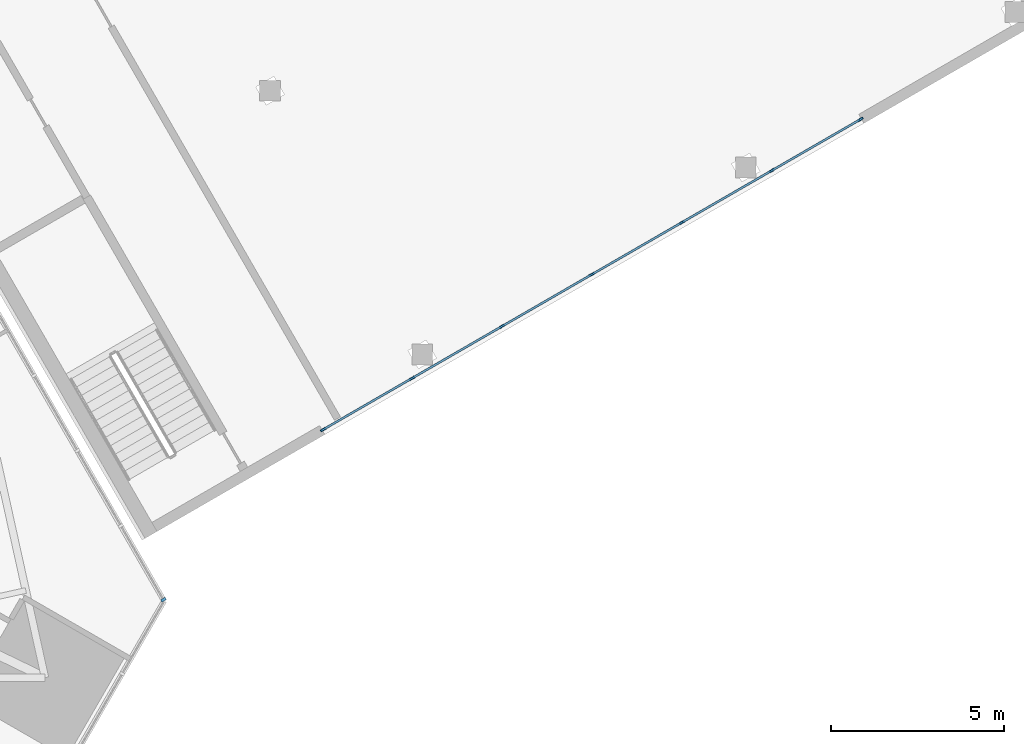
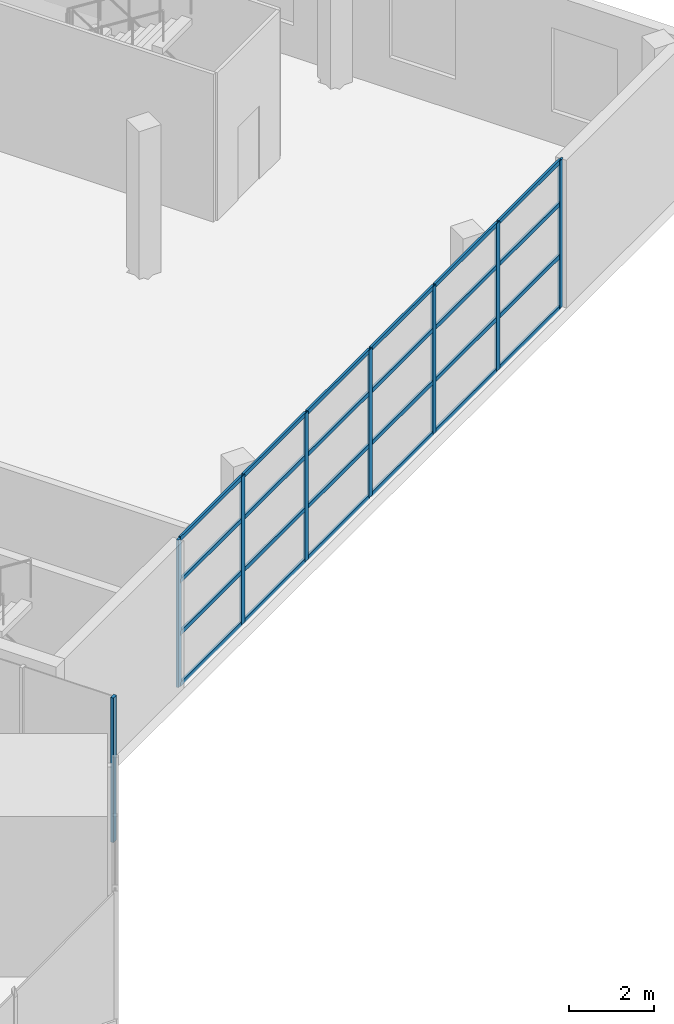
# One storey, part 13 of 29: 32 members, 2 elements without a shape of their own.
"""IFC4 building model written with IfcOpenShell, lengths in metres."""

from ifc_helpers import new_model, si_unit, direction, frame, origin, origin_2d, place, context, subcontext, project, spatial, rectangle, extrude, material, layer, layer_set, material_profile, profile_set, type_object, element, aggregate, save


model = new_model("IFC4")

# Units and contexts
model_context = context("Model", 3, precision=1e-05, world=origin(), true_north=direction((0.0, 1.0)))
body_context = subcontext(model_context, "Body", "Model", "MODEL_VIEW")
ifc_project = project(units=[si_unit("LENGTHUNIT", "METRE"), si_unit("AREAUNIT", "SQUARE_METRE"), si_unit("VOLUMEUNIT", "CUBIC_METRE"), si_unit("PLANEANGLEUNIT", "RADIAN"), si_unit("MASSUNIT", "GRAM", prefix="KILO")], contexts=[model_context])

# Site, building, storey
site_placement = place(None, origin())
site = spatial("IfcSite", under=ifc_project, at=site_placement, CompositionType="ELEMENT")
building_placement = place(site_placement, origin())
building = spatial("IfcBuilding", under=site, at=building_placement, Name="Firuza Gate Tower and Library", CompositionType="ELEMENT")
storey_placement = place(building_placement, frame((0.0, 0.0, 8.0)))
storey = spatial("IfcBuildingStorey", under=building, at=storey_placement, Name="L01", CompositionType="ELEMENT", Elevation=8.0)

# Curtain wall, member
ifc_material_1 = material(Name="Aluminium 6063-T6", Category="aluminium")
ifc_layer = layer(ifc_material_1, 0.14990234375)
ifc_layer_set = layer_set([ifc_layer], Name="Stick curtain wall, podium")
curtain_wall_type_1 = type_object("IfcCurtainWallType", Name="Stick curtain wall, podium", PredefinedType="NOTDEFINED", material=ifc_layer_set)
placement = place(storey_placement, origin())
curtain_wall_1 = element("IfcCurtainWall", 1, at=placement, inside=storey, type_object=curtain_wall_type_1, Name="CW5 L01 E", PredefinedType="NOTDEFINED")
ifc_material_2 = material(Name="Aluminium 6063-T6", Category="aluminium")
ifc_material_profile_1 = material_profile(ifc_material_2, rectangle(XDim=0.14990234375, YDim=0.080078125, at=origin_2d()))
ifc_profile_set_1 = profile_set([ifc_material_profile_1], Name="Aluminium 6063-T6")
member_type_1 = type_object("IfcMemberType", Name="Curtain wall mullion 80x150", PredefinedType="MULLION", material=ifc_profile_set_1)
member_1_placement = place(storey_placement, frame((107.466552734375, 60.4853515625, 0.14990234375), z_axis=(0.0, 0.0, 1.0), x_axis=(-0.866025403784, -0.5, 0.0)))
member_1 = element("IfcMember", 2, at=member_1_placement, type_object=member_type_1, Name="Mullion", PredefinedType="MULLION", context=body_context, shape_type="SweptSolid", body=[
    extrude(rectangle(XDim=0.14990234375, YDim=0.080078125, at=origin_2d()), origin(), (0.0, 0.0, 1.0), 4.150146484375),
])
aggregate(curtain_wall_1, [member_1])

# Curtain wall, members
ifc_material_3 = material(Name="Aluminium", Category="aluminium")
curtain_wall_type_2 = type_object("IfcCurtainWallType", Name="LIB CURTAIN WALL", PredefinedType="NOTDEFINED", material=ifc_material_3)
curtain_wall_2 = element("IfcCurtainWall", 3, at=placement, inside=storey, type_object=curtain_wall_type_2, Name="L01 south curtain wall", PredefinedType="NOTDEFINED")
ifc_material_4 = material(Name="Aluminium", Category="aluminium")
ifc_material_profile_2 = material_profile(ifc_material_4, rectangle(XDim=0.06005859375, YDim=0.159912109375, at=origin_2d()))
ifc_profile_set_2 = profile_set([ifc_material_profile_2], Name="Aluminium")
member_type_2 = type_object("IfcMemberType", Name="LIB MULLION 60X160", PredefinedType="MULLION", material=ifc_profile_set_2)
member_2_placement = place(storey_placement, frame((112.080078125, 65.404541015625, 0.0), z_axis=(0.0, 0.0, 1.0), x_axis=(-0.500001377656, 0.866024608393, 0.0)))
member_2 = element("IfcMember", 4, at=member_2_placement, type_object=member_type_2, Name="LIB-CW mullion 1", PredefinedType="MULLION", context=body_context, shape_type="SweptSolid", body=[
    extrude(rectangle(XDim=0.06005859375, YDim=0.159912109375, at=origin_2d()), origin(), (0.0, 0.0, 1.0), 4.239990234375),
])
member_3_placement = place(storey_placement, frame((114.65234375, 66.889404296875, 0.0), z_axis=(0.0, 0.0, 1.0), x_axis=(-0.500001377656, 0.866024608393, 0.0)))
member_3 = element("IfcMember", 5, at=member_3_placement, type_object=member_type_2, Name="LIB-CW mullion 2", PredefinedType="MULLION", context=body_context, shape_type="SweptSolid", body=[
    extrude(rectangle(XDim=0.06005859375, YDim=0.159912109375, at=origin_2d()), origin(), (0.0, 0.0, 1.0), 4.239990234375),
])
member_4_placement = place(storey_placement, frame((117.250244140625, 68.389404296875, 0.0), z_axis=(0.0, 0.0, 1.0), x_axis=(-0.500001377656, 0.866024608393, 0.0)))
member_4 = element("IfcMember", 6, at=member_4_placement, type_object=member_type_2, Name="LIB-CW mullion 3", PredefinedType="MULLION", context=body_context, shape_type="SweptSolid", body=[
    extrude(rectangle(XDim=0.06005859375, YDim=0.159912109375, at=origin_2d()), origin(), (0.0, 0.0, 1.0), 4.239990234375),
])
member_5_placement = place(storey_placement, frame((119.848388671875, 69.889404296875, 0.0), z_axis=(0.0, 0.0, 1.0), x_axis=(-0.500001377656, 0.866024608393, 0.0)))
member_5 = element("IfcMember", 7, at=member_5_placement, type_object=member_type_2, Name="LIB-CW mullion 4", PredefinedType="MULLION", context=body_context, shape_type="SweptSolid", body=[
    extrude(rectangle(XDim=0.06005859375, YDim=0.159912109375, at=origin_2d()), origin(), (0.0, 0.0, 1.0), 4.239990234375),
])
member_6_placement = place(storey_placement, frame((122.446533203125, 71.389404296875, 0.0), z_axis=(0.0, 0.0, 1.0), x_axis=(-0.500001377656, 0.866024608393, 0.0)))
member_6 = element("IfcMember", 8, at=member_6_placement, type_object=member_type_2, Name="LIB-CW mullion 5", PredefinedType="MULLION", context=body_context, shape_type="SweptSolid", body=[
    extrude(rectangle(XDim=0.06005859375, YDim=0.159912109375, at=origin_2d()), origin(), (0.0, 0.0, 1.0), 4.239990234375),
])
member_7_placement = place(storey_placement, frame((125.04443359375, 72.889404296875, 0.0), z_axis=(0.0, 0.0, 1.0), x_axis=(-0.500001377656, 0.866024608393, 0.0)))
member_7 = element("IfcMember", 9, at=member_7_placement, type_object=member_type_2, Name="LIB-CW mullion 6", PredefinedType="MULLION", context=body_context, shape_type="SweptSolid", body=[
    extrude(rectangle(XDim=0.06005859375, YDim=0.159912109375, at=origin_2d()), origin(), (0.0, 0.0, 1.0), 4.239990234375),
])
member_8_placement = place(storey_placement, frame((127.61669921875, 74.37451171875, 0.0), z_axis=(0.0, 0.0, 1.0), x_axis=(-0.500001377656, 0.866024608393, 0.0)))
member_8 = element("IfcMember", 10, at=member_8_placement, type_object=member_type_2, Name="LIB-CW mullion 7", PredefinedType="MULLION", context=body_context, shape_type="SweptSolid", body=[
    extrude(rectangle(XDim=0.06005859375, YDim=0.159912109375, at=origin_2d()), origin(), (0.0, 0.0, 1.0), 4.239990234375),
])
ifc_material_5 = material(Name="Aluminium", Category="aluminium")
ifc_material_profile_3 = material_profile(ifc_material_5, rectangle(XDim=0.06005859375, YDim=0.1201171875, at=origin_2d()))
ifc_profile_set_3 = profile_set([ifc_material_profile_3], Name="Aluminium")
member_type_3 = type_object("IfcMemberType", Name="LIB TRANSOM 60X120", PredefinedType="USERDEFINED", material=ifc_profile_set_3)
member_9_placement = place(storey_placement, frame((112.106201171875, 65.41943359375, 0.030029296875), z_axis=(0.866003949776, 0.500037157592, 0.0), x_axis=(-0.500037157592, 0.866003949776, 0.0)))
member_9 = element("IfcMember", 11, at=member_9_placement, type_object=member_type_3, Name="LIB-CW transom 1.1", ObjectType="TRANSOM", PredefinedType="USERDEFINED", context=body_context, shape_type="SweptSolid", body=[
    extrude(rectangle(XDim=0.06005859375, YDim=0.1201171875, at=origin_2d()), origin(), (0.0, 0.0, 1.0), 2.909912109375),
])
member_10_placement = place(storey_placement, frame((112.106201171875, 65.41943359375, 1.5), z_axis=(0.866003949776, 0.500037157592, 0.0), x_axis=(-0.500037157592, 0.866003949776, 0.0)))
member_10 = element("IfcMember", 12, at=member_10_placement, type_object=member_type_3, Name="LIB-CW transom 1.2", ObjectType="TRANSOM", PredefinedType="USERDEFINED", context=body_context, shape_type="SweptSolid", body=[
    extrude(rectangle(XDim=0.06005859375, YDim=0.1201171875, at=origin_2d()), origin(), (0.0, 0.0, 1.0), 2.909912109375),
])
member_11_placement = place(storey_placement, frame((112.106201171875, 65.41943359375, 3.0), z_axis=(0.866003949776, 0.500037157592, 0.0), x_axis=(-0.500037157592, 0.866003949776, 0.0)))
member_11 = element("IfcMember", 13, at=member_11_placement, type_object=member_type_3, Name="LIB-CW transom 1.3", ObjectType="TRANSOM", PredefinedType="USERDEFINED", context=body_context, shape_type="SweptSolid", body=[
    extrude(rectangle(XDim=0.06005859375, YDim=0.1201171875, at=origin_2d()), origin(), (0.0, 0.0, 1.0), 2.909912109375),
])
member_12_placement = place(storey_placement, frame((112.106201171875, 65.41943359375, 4.2099609375), z_axis=(0.866003949776, 0.500037157592, 0.0), x_axis=(-0.500037157592, 0.866003949776, 0.0)))
member_12 = element("IfcMember", 14, at=member_12_placement, type_object=member_type_3, Name="LIB-CW transom 1.4", ObjectType="TRANSOM", PredefinedType="USERDEFINED", context=body_context, shape_type="SweptSolid", body=[
    extrude(rectangle(XDim=0.06005859375, YDim=0.1201171875, at=origin_2d()), origin(), (0.0, 0.0, 1.0), 2.909912109375),
])
member_13_placement = place(storey_placement, frame((114.67822265625, 66.904541015625, 0.030029296875), z_axis=(0.866032090307, 0.499988418424, 0.0), x_axis=(-0.499988418424, 0.866032090307, 0.0)))
member_13 = element("IfcMember", 15, at=member_13_placement, type_object=member_type_3, Name="LIB-CW transom 2.1", ObjectType="TRANSOM", PredefinedType="USERDEFINED", context=body_context, shape_type="SweptSolid", body=[
    extrude(rectangle(XDim=0.06005859375, YDim=0.1201171875, at=origin_2d()), origin(), (0.0, 0.0, 1.0), 2.93994140625),
])
member_14_placement = place(storey_placement, frame((114.67822265625, 66.904541015625, 1.5), z_axis=(0.866032090307, 0.499988418424, 0.0), x_axis=(-0.499988418424, 0.866032090307, 0.0)))
member_14 = element("IfcMember", 16, at=member_14_placement, type_object=member_type_3, Name="LIB-CW transom 2.2", ObjectType="TRANSOM", PredefinedType="USERDEFINED", context=body_context, shape_type="SweptSolid", body=[
    extrude(rectangle(XDim=0.06005859375, YDim=0.1201171875, at=origin_2d()), origin(), (0.0, 0.0, 1.0), 2.93994140625),
])
member_15_placement = place(storey_placement, frame((114.67822265625, 66.904541015625, 3.0), z_axis=(0.866032090307, 0.499988418424, 0.0), x_axis=(-0.499988418424, 0.866032090307, 0.0)))
member_15 = element("IfcMember", 17, at=member_15_placement, type_object=member_type_3, Name="LIB-CW transom 2.3", ObjectType="TRANSOM", PredefinedType="USERDEFINED", context=body_context, shape_type="SweptSolid", body=[
    extrude(rectangle(XDim=0.06005859375, YDim=0.1201171875, at=origin_2d()), origin(), (0.0, 0.0, 1.0), 2.93994140625),
])
member_16_placement = place(storey_placement, frame((114.67822265625, 66.904541015625, 4.2099609375), z_axis=(0.866032090307, 0.499988418424, 0.0), x_axis=(-0.499988418424, 0.866032090307, 0.0)))
member_16 = element("IfcMember", 18, at=member_16_placement, type_object=member_type_3, Name="LIB-CW transom 2.4", ObjectType="TRANSOM", PredefinedType="USERDEFINED", context=body_context, shape_type="SweptSolid", body=[
    extrude(rectangle(XDim=0.06005859375, YDim=0.1201171875, at=origin_2d()), origin(), (0.0, 0.0, 1.0), 2.93994140625),
])
member_17_placement = place(storey_placement, frame((117.2763671875, 68.404541015625, 0.030029296875), z_axis=(0.866032090307, 0.499988418424, 0.0), x_axis=(-0.499988418424, 0.866032090307, 0.0)))
member_17 = element("IfcMember", 19, at=member_17_placement, type_object=member_type_3, Name="LIB-CW transom 3.1", ObjectType="TRANSOM", PredefinedType="USERDEFINED", context=body_context, shape_type="SweptSolid", body=[
    extrude(rectangle(XDim=0.06005859375, YDim=0.1201171875, at=origin_2d()), origin(), (0.0, 0.0, 1.0), 2.93994140625),
])
member_18_placement = place(storey_placement, frame((117.2763671875, 68.404541015625, 1.5), z_axis=(0.866032090307, 0.499988418424, 0.0), x_axis=(-0.499988418424, 0.866032090307, 0.0)))
member_18 = element("IfcMember", 20, at=member_18_placement, type_object=member_type_3, Name="LIB-CW transom 3.2", ObjectType="TRANSOM", PredefinedType="USERDEFINED", context=body_context, shape_type="SweptSolid", body=[
    extrude(rectangle(XDim=0.06005859375, YDim=0.1201171875, at=origin_2d()), origin(), (0.0, 0.0, 1.0), 2.93994140625),
])
member_19_placement = place(storey_placement, frame((117.2763671875, 68.404541015625, 3.0), z_axis=(0.866032090307, 0.499988418424, 0.0), x_axis=(-0.499988418424, 0.866032090307, 0.0)))
member_19 = element("IfcMember", 21, at=member_19_placement, type_object=member_type_3, Name="LIB-CW transom 3.3", ObjectType="TRANSOM", PredefinedType="USERDEFINED", context=body_context, shape_type="SweptSolid", body=[
    extrude(rectangle(XDim=0.06005859375, YDim=0.1201171875, at=origin_2d()), origin(), (0.0, 0.0, 1.0), 2.93994140625),
])
member_20_placement = place(storey_placement, frame((117.2763671875, 68.404541015625, 4.2099609375), z_axis=(0.866032090307, 0.499988418424, 0.0), x_axis=(-0.499988418424, 0.866032090307, 0.0)))
member_20 = element("IfcMember", 22, at=member_20_placement, type_object=member_type_3, Name="LIB-CW transom 3.4", ObjectType="TRANSOM", PredefinedType="USERDEFINED", context=body_context, shape_type="SweptSolid", body=[
    extrude(rectangle(XDim=0.06005859375, YDim=0.1201171875, at=origin_2d()), origin(), (0.0, 0.0, 1.0), 2.93994140625),
])
member_21_placement = place(storey_placement, frame((119.874267578125, 69.904541015625, 0.030029296875), z_axis=(0.866032090307, 0.499988418424, 0.0), x_axis=(-0.499988418424, 0.866032090307, 0.0)))
member_21 = element("IfcMember", 23, at=member_21_placement, type_object=member_type_3, Name="LIB-CW transom 4.1", ObjectType="TRANSOM", PredefinedType="USERDEFINED", context=body_context, shape_type="SweptSolid", body=[
    extrude(rectangle(XDim=0.06005859375, YDim=0.1201171875, at=origin_2d()), origin(), (0.0, 0.0, 1.0), 2.93994140625),
])
member_22_placement = place(storey_placement, frame((119.874267578125, 69.904541015625, 1.5), z_axis=(0.866032090307, 0.499988418424, 0.0), x_axis=(-0.499988418424, 0.866032090307, 0.0)))
member_22 = element("IfcMember", 24, at=member_22_placement, type_object=member_type_3, Name="LIB-CW transom 4.2", ObjectType="TRANSOM", PredefinedType="USERDEFINED", context=body_context, shape_type="SweptSolid", body=[
    extrude(rectangle(XDim=0.06005859375, YDim=0.1201171875, at=origin_2d()), origin(), (0.0, 0.0, 1.0), 2.93994140625),
])
member_23_placement = place(storey_placement, frame((119.874267578125, 69.904541015625, 3.0), z_axis=(0.866032090307, 0.499988418424, 0.0), x_axis=(-0.499988418424, 0.866032090307, 0.0)))
member_23 = element("IfcMember", 25, at=member_23_placement, type_object=member_type_3, Name="LIB-CW transom 4.3", ObjectType="TRANSOM", PredefinedType="USERDEFINED", context=body_context, shape_type="SweptSolid", body=[
    extrude(rectangle(XDim=0.06005859375, YDim=0.1201171875, at=origin_2d()), origin(), (0.0, 0.0, 1.0), 2.93994140625),
])
member_24_placement = place(storey_placement, frame((119.874267578125, 69.904541015625, 4.2099609375), z_axis=(0.866032090307, 0.499988418424, 0.0), x_axis=(-0.499988418424, 0.866032090307, 0.0)))
member_24 = element("IfcMember", 26, at=member_24_placement, type_object=member_type_3, Name="LIB-CW transom 4.4", ObjectType="TRANSOM", PredefinedType="USERDEFINED", context=body_context, shape_type="SweptSolid", body=[
    extrude(rectangle(XDim=0.06005859375, YDim=0.1201171875, at=origin_2d()), origin(), (0.0, 0.0, 1.0), 2.93994140625),
])
member_25_placement = place(storey_placement, frame((122.472412109375, 71.404541015625, 0.030029296875), z_axis=(0.866032090307, 0.499988418424, 0.0), x_axis=(-0.499988418424, 0.866032090307, 0.0)))
member_25 = element("IfcMember", 27, at=member_25_placement, type_object=member_type_3, Name="LIB-CW transom 5.1", ObjectType="TRANSOM", PredefinedType="USERDEFINED", context=body_context, shape_type="SweptSolid", body=[
    extrude(rectangle(XDim=0.06005859375, YDim=0.1201171875, at=origin_2d()), origin(), (0.0, 0.0, 1.0), 2.93994140625),
])
member_26_placement = place(storey_placement, frame((122.472412109375, 71.404541015625, 1.5), z_axis=(0.866032090307, 0.499988418424, 0.0), x_axis=(-0.499988418424, 0.866032090307, 0.0)))
member_26 = element("IfcMember", 28, at=member_26_placement, type_object=member_type_3, Name="LIB-CW transom 5.2", ObjectType="TRANSOM", PredefinedType="USERDEFINED", context=body_context, shape_type="SweptSolid", body=[
    extrude(rectangle(XDim=0.06005859375, YDim=0.1201171875, at=origin_2d()), origin(), (0.0, 0.0, 1.0), 2.93994140625),
])
member_27_placement = place(storey_placement, frame((122.472412109375, 71.404541015625, 3.0), z_axis=(0.866032090307, 0.499988418424, 0.0), x_axis=(-0.499988418424, 0.866032090307, 0.0)))
member_27 = element("IfcMember", 29, at=member_27_placement, type_object=member_type_3, Name="LIB-CW transom 5.3", ObjectType="TRANSOM", PredefinedType="USERDEFINED", context=body_context, shape_type="SweptSolid", body=[
    extrude(rectangle(XDim=0.06005859375, YDim=0.1201171875, at=origin_2d()), origin(), (0.0, 0.0, 1.0), 2.93994140625),
])
member_28_placement = place(storey_placement, frame((122.472412109375, 71.404541015625, 4.2099609375), z_axis=(0.866032090307, 0.499988418424, 0.0), x_axis=(-0.499988418424, 0.866032090307, 0.0)))
member_28 = element("IfcMember", 30, at=member_28_placement, type_object=member_type_3, Name="LIB-CW transom 5.4", ObjectType="TRANSOM", PredefinedType="USERDEFINED", context=body_context, shape_type="SweptSolid", body=[
    extrude(rectangle(XDim=0.06005859375, YDim=0.1201171875, at=origin_2d()), origin(), (0.0, 0.0, 1.0), 2.93994140625),
])
member_29_placement = place(storey_placement, frame((125.070556640625, 72.904541015625, 0.030029296875), z_axis=(0.866003949776, 0.500037157592, 0.0), x_axis=(-0.500037157592, 0.866003949776, 0.0)))
member_29 = element("IfcMember", 31, at=member_29_placement, type_object=member_type_3, Name="LIB-CW transom 6.1", ObjectType="TRANSOM", PredefinedType="USERDEFINED", context=body_context, shape_type="SweptSolid", body=[
    extrude(rectangle(XDim=0.06005859375, YDim=0.1201171875, at=origin_2d()), origin(), (0.0, 0.0, 1.0), 2.909912109375),
])
member_30_placement = place(storey_placement, frame((125.070556640625, 72.904541015625, 1.5), z_axis=(0.866003949776, 0.500037157592, 0.0), x_axis=(-0.500037157592, 0.866003949776, 0.0)))
member_30 = element("IfcMember", 32, at=member_30_placement, type_object=member_type_3, Name="LIB-CW transom 6.2", ObjectType="TRANSOM", PredefinedType="USERDEFINED", context=body_context, shape_type="SweptSolid", body=[
    extrude(rectangle(XDim=0.06005859375, YDim=0.1201171875, at=origin_2d()), origin(), (0.0, 0.0, 1.0), 2.909912109375),
])
member_31_placement = place(storey_placement, frame((125.070556640625, 72.904541015625, 3.0), z_axis=(0.866003949776, 0.500037157592, 0.0), x_axis=(-0.500037157592, 0.866003949776, 0.0)))
member_31 = element("IfcMember", 33, at=member_31_placement, type_object=member_type_3, Name="LIB-CW transom 6.3", ObjectType="TRANSOM", PredefinedType="USERDEFINED", context=body_context, shape_type="SweptSolid", body=[
    extrude(rectangle(XDim=0.06005859375, YDim=0.1201171875, at=origin_2d()), origin(), (0.0, 0.0, 1.0), 2.909912109375),
])
member_32_placement = place(storey_placement, frame((125.070556640625, 72.904541015625, 4.2099609375), z_axis=(0.866003949776, 0.500037157592, 0.0), x_axis=(-0.500037157592, 0.866003949776, 0.0)))
member_32 = element("IfcMember", 34, at=member_32_placement, type_object=member_type_3, Name="LIB-CW transom 6.4", ObjectType="TRANSOM", PredefinedType="USERDEFINED", context=body_context, shape_type="SweptSolid", body=[
    extrude(rectangle(XDim=0.06005859375, YDim=0.1201171875, at=origin_2d()), origin(), (0.0, 0.0, 1.0), 2.909912109375),
])
aggregate(curtain_wall_2, [member_2, member_3, member_4, member_5, member_6, member_7, member_8, member_9, member_10, member_11, member_12, member_13, member_14, member_15, member_16, member_17, member_18, member_19, member_20, member_21, member_22, member_23, member_24, member_25, member_26, member_27, member_28, member_29, member_30, member_31, member_32])

save(model, "model.ifc")
